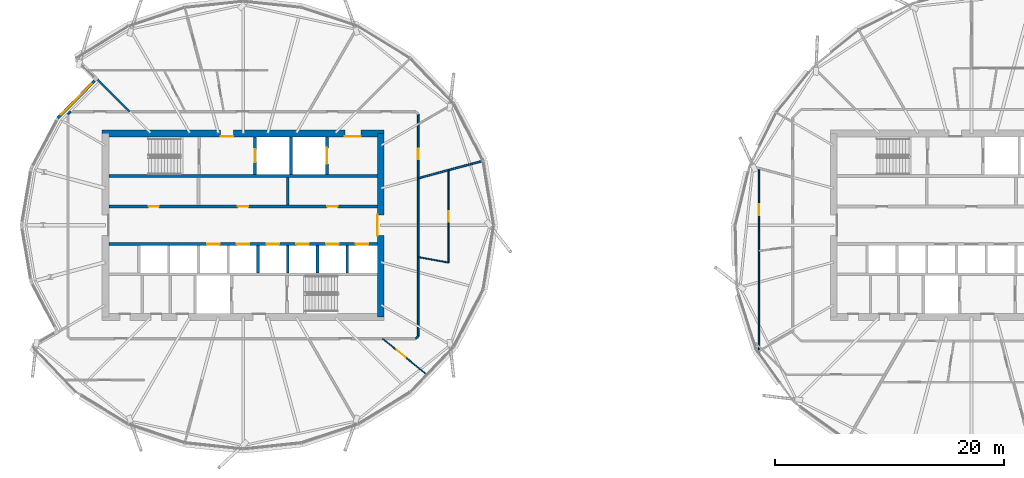
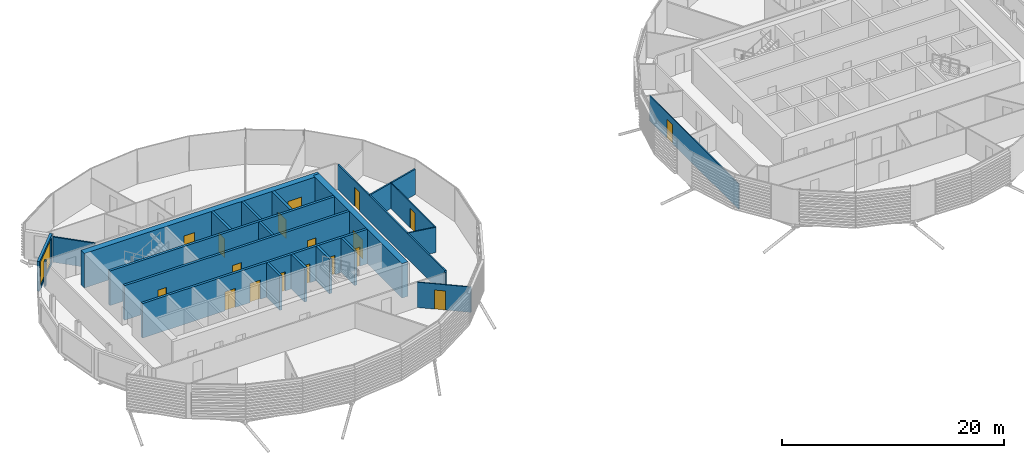
# One storey, part 20 of 36: 23 walls, 18 doors, 1 window, 19 openings.
"""IFC4 building model written with IfcOpenShell, lengths in metres."""

from ifc_helpers import new_model, si_unit, direction, frame, frame_2d, origin, place, context, subcontext, project, spatial, rectangle, extrude, material, layer, layer_set, type_object, element, fill, save


model = new_model("IFC4")

# Units and contexts
model_context = context("Model", 3, precision=1e-05, world=origin(), true_north=direction((0.0, 1.0)))
body_context = subcontext(model_context, "Body", "Model", "MODEL_VIEW")
ifc_project = project(units=[si_unit("LENGTHUNIT", "METRE"), si_unit("AREAUNIT", "SQUARE_METRE"), si_unit("VOLUMEUNIT", "CUBIC_METRE"), si_unit("PLANEANGLEUNIT", "RADIAN"), si_unit("MASSUNIT", "GRAM", prefix="KILO")], contexts=[model_context])

# Site, building, storey
site_placement = place(None, origin())
site = spatial("IfcSite", under=ifc_project, at=site_placement, CompositionType="ELEMENT")
building_placement = place(site_placement, origin())
building = spatial("IfcBuilding", under=site, at=building_placement, Name="Rimbun Link Towers", CompositionType="ELEMENT")
storey_placement = place(building_placement, frame((0.0, 0.0, 189.300048828125)))
storey = spatial("IfcBuildingStorey", under=building, at=storey_placement, Name="L46", CompositionType="ELEMENT", Elevation=189.300048828125)

# Wall, opening, window
ifc_material_1 = material(Name="Dark enamelled glass spandrel on insulated aluminium backpan", Category="aluminium")
ifc_layer_1 = layer(ifc_material_1, 0.25)
ifc_layer_set_1 = layer_set([ifc_layer_1], Name="CS dark enamelled spandrel wall 250")
wall_type_1 = type_object("IfcWallType", Name="CS dark enamelled spandrel wall 250", PredefinedType="STANDARD", material=ifc_layer_set_1)
wall_1_placement = place(storey_placement, frame((-47.9072265625, 9.344482421875, 0.0), z_axis=(0.0, 0.0, 1.0), x_axis=(0.703167111014, 0.711024622631, 0.0)))
wall_1 = element("IfcWall", 1, at=wall_1_placement, inside=storey, type_object=wall_type_1, Name="Crease spandrel wall", PredefinedType="STANDARD", context=body_context, shape_type="SweptSolid", body=[
    extrude(rectangle(XDim=4.5673828125, YDim=0.25, at=frame_2d((2.28369140625, 0.0))), origin(), (0.0, 0.0, 1.0), 3.284912109375),
])
opening_1_placement = place(wall_1_placement, frame((0.40869140625, 0.0, 0.300048828125)))
opening_1 = element("IfcOpeningElement", 2, at=opening_1_placement, cuts=wall_1, Name="Opening WR38H270", PredefinedType="OPENING", context=body_context, shape_type="SweptSolid", body=[
    extrude(rectangle(XDim=3.75, YDim=2.699951171875, at=frame_2d((1.875, 1.35009765625))), frame((0.0, 0.135009765625, 0.0), z_axis=(0.0, -1.0, 0.0), x_axis=(1.0, 0.0, 0.0)), (0.0, 0.0, 1.0), 0.27001953125),
])
ifc_material_2 = material(Name="Aluminium framed fixed window, dark tinted low-e glass", Category="aluminium")
window_type = type_object("IfcWindowType", Name="WR ribbon window 3750X2700", PartitioningType="SINGLE_PANEL", PredefinedType="WINDOW", material=ifc_material_2)
window_placement = place(opening_1_placement, origin())
window = element("IfcWindow", 3, at=window_placement, inside=storey, type_object=window_type, Name="Crease ribbon window", OverallHeight=2.699951171875, OverallWidth=3.75, PartitioningType="SINGLE_PANEL", PredefinedType="WINDOW", context=body_context, shape_type="SweptSolid", body=[
    extrude(rectangle(XDim=3.75, YDim=2.699951171875, at=frame_2d((1.875, 1.35009765625))), frame((0.0, 0.030029296875, 0.0), z_axis=(0.0, -1.0, 0.0), x_axis=(1.0, 0.0, 0.0)), (0.0, 0.0, 1.0), 0.06005859375),
])
fill(opening_1, window)

# Wall, openings, doors
ifc_material_3 = material(Name="Concrete C60/75", Category="concrete")
ifc_layer_2 = layer(ifc_material_3, 0.60009765625)
ifc_layer_set_2 = layer_set([ifc_layer_2], Name="Core shear wall 600")
wall_type_2 = type_object("IfcWallType", Name="Core shear wall 600", PredefinedType="SHEAR", material=ifc_layer_set_2)
wall_2_placement = place(storey_placement, frame((-44.050048828125, 8.0, 0.0), z_axis=(0.0, 0.0, 1.0), x_axis=(1.0, 0.0, 0.0)))
wall_2 = element("IfcWall", 4, at=wall_2_placement, inside=storey, type_object=wall_type_2, Name="L46 T1 core wall N", PredefinedType="SHEAR", context=body_context, shape_type="SweptSolid", body=[
    extrude(rectangle(XDim=24.60009765625, YDim=0.60009765625, at=frame_2d((12.300048828125, 0.0))), origin(), (0.0, 0.0, 1.0), 3.800048828125),
])
opening_2_placement = place(wall_2_placement, frame((10.35009765625, 0.0, 0.0)))
opening_2 = element("IfcOpeningElement", 5, at=opening_2_placement, cuts=wall_2, Name="Opening C1DCF01N", PredefinedType="OPENING", context=body_context, shape_type="SweptSolid", body=[
    extrude(rectangle(XDim=1.10009765625, YDim=2.10009765625, at=frame_2d((0.550048828125, 1.050048828125))), frame((0.0, 0.31005859375, 0.0), z_axis=(0.0, -1.0, 0.0), x_axis=(1.0, 0.0, 0.0)), (0.0, 0.0, 1.0), 0.6201171875),
])
opening_3_placement = place(wall_2_placement, frame((21.175048828125, 0.0, 0.0)))
opening_3 = element("IfcOpeningElement", 6, at=opening_3_placement, cuts=wall_2, Name="Opening C1DSL02N", PredefinedType="OPENING", context=body_context, shape_type="SweptSolid", body=[
    extrude(rectangle(XDim=1.39990234375, YDim=2.10009765625, at=frame_2d((0.699951171875, 1.050048828125))), frame((0.0, 0.31005859375, 0.0), z_axis=(0.0, -1.0, 0.0), x_axis=(1.0, 0.0, 0.0)), (0.0, 0.0, 1.0), 0.6201171875),
])
ifc_material_4 = material(Name="Steel fire door set", Category="steel")
door_type_1 = type_object("IfcDoorType", Name="Core fire door single", OperationType="SINGLE_SWING_LEFT", PredefinedType="DOOR", material=ifc_material_4)
door_1_placement = place(opening_2_placement, origin())
door_1 = element("IfcDoor", 7, at=door_1_placement, inside=storey, type_object=door_type_1, Name="L46 T1 firefighting lobby n door", OperationType="SINGLE_SWING_LEFT", OverallHeight=2.10009765625, OverallWidth=1.10009765625, PredefinedType="DOOR", context=body_context, shape_type="SweptSolid", body=[
    extrude(rectangle(XDim=1.10009765625, YDim=2.10009765625, at=frame_2d((0.550048828125, 1.050048828125))), frame((0.0, -0.25, 0.0), z_axis=(0.0, -1.0, 0.0), x_axis=(1.0, 0.0, 0.0)), (0.0, 0.0, 1.0), 0.050048828125),
])
fill(opening_2, door_1)
ifc_material_5 = material(Name="Steel fire door set", Category="steel")
door_type_2 = type_object("IfcDoorType", Name="Service lobby door double", OperationType="DOUBLE_DOOR_SINGLE_SWING", PredefinedType="DOOR", material=ifc_material_5)
door_2_placement = place(opening_3_placement, origin())
door_2 = element("IfcDoor", 8, at=door_2_placement, inside=storey, type_object=door_type_2, Name="L46 T1 service lobby door", OperationType="DOUBLE_DOOR_SINGLE_SWING", OverallHeight=2.10009765625, OverallWidth=1.39990234375, PredefinedType="DOOR", context=body_context, shape_type="SweptSolid", body=[
    extrude(rectangle(XDim=1.39990234375, YDim=2.10009765625, at=frame_2d((0.699951171875, 1.050048828125))), frame((0.0, -0.25, 0.0), z_axis=(0.0, -1.0, 0.0), x_axis=(1.0, 0.0, 0.0)), (0.0, 0.0, 1.0), 0.050048828125),
])
fill(opening_3, door_2)

# Wall, opening, door
wall_3_placement = place(storey_placement, frame((-19.75, -8.0, 0.0), z_axis=(0.0, 0.0, 1.0), x_axis=(0.0, 1.0, 0.0)))
wall_3 = element("IfcWall", 9, at=wall_3_placement, inside=storey, type_object=wall_type_2, Name="L46 T1 core wall E", PredefinedType="SHEAR", context=body_context, shape_type="SweptSolid", body=[
    extrude(rectangle(XDim=16.0, YDim=0.60009765625, at=frame_2d((8.0, 0.0))), origin(), (0.0, 0.0, 1.0), 3.800048828125),
])
opening_4_placement = place(wall_3_placement, frame((7.10009765625, 0.0, 0.0)))
opening_4 = element("IfcOpeningElement", 10, at=opening_4_placement, cuts=wall_3, Name="Opening C1DCL01E", PredefinedType="OPENING", context=body_context, shape_type="SweptSolid", body=[
    extrude(rectangle(XDim=1.800048828125, YDim=2.10009765625, at=frame_2d((0.89990234375, 1.050048828125))), frame((0.0, 0.31005859375, 0.0), z_axis=(0.0, -1.0, 0.0), x_axis=(1.0, 0.0, 0.0)), (0.0, 0.0, 1.0), 0.6201171875),
])
ifc_material_6 = material(Name="Steel fire door set", Category="steel")
door_type_3 = type_object("IfcDoorType", Name="Core lobby door double", OperationType="DOUBLE_DOOR_SINGLE_SWING", PredefinedType="DOOR", material=ifc_material_6)
door_3_placement = place(opening_4_placement, origin())
door_3 = element("IfcDoor", 11, at=door_3_placement, inside=storey, type_object=door_type_3, Name="L46 T1 lift lobby door", OperationType="DOUBLE_DOOR_SINGLE_SWING", OverallHeight=2.10009765625, OverallWidth=1.800048828125, PredefinedType="DOOR", context=body_context, shape_type="SweptSolid", body=[
    extrude(rectangle(XDim=1.800048828125, YDim=2.10009765625, at=frame_2d((0.89990234375, 1.050048828125))), frame((0.0, 0.2998046875, 0.0), z_axis=(0.0, -1.0, 0.0), x_axis=(1.0, 0.0, 0.0)), (0.0, 0.0, 1.0), 0.050048828125),
])
fill(opening_4, door_3)

ifc_material_7 = material(Name="Plasterboard on steel stud, mineral wool", Category="steel")
ifc_layer_3 = layer(ifc_material_7, 0.14990234375)
ifc_layer_set_3 = layer_set([ifc_layer_3], Name="Corridor wall EI 30 150 mm")
wall_type_3 = type_object("IfcWallType", Name="Corridor wall EI 30 150 mm", PredefinedType="PARTITIONING", material=ifc_layer_set_3)
wall_4_placement = place(storey_placement, frame((-16.47509765625, 9.673583984375, 0.0), z_axis=(0.0, 0.0, 1.0), x_axis=(0.0, -1.0, 0.0)))
wall_4 = element("IfcWall", 12, at=wall_4_placement, inside=storey, type_object=wall_type_3, Name="Corridor wall EI 30 150 mm", PredefinedType="PARTITIONING", context=body_context, shape_type="SweptSolid", body=[
    extrude(rectangle(XDim=19.34716796875, YDim=0.14990234375, at=frame_2d((9.673583984375, 0.0))), origin(), (0.0, 0.0, 1.0), 2.7890625),
])
opening_5_placement = place(wall_4_placement, frame((3.01220703125, 0.0, 0.0)))
opening_5 = element("IfcOpeningElement", 13, at=opening_5_placement, cuts=wall_4, Name="Opening D02", PredefinedType="OPENING", context=body_context, shape_type="SweptSolid", body=[
    extrude(rectangle(XDim=0.89990234375, YDim=2.10009765625, at=frame_2d((0.449951171875, 1.050048828125))), frame((0.0, 0.0849609375, 0.0), z_axis=(0.0, -1.0, 0.0), x_axis=(1.0, 0.0, 0.0)), (0.0, 0.0, 1.0), 0.169921875),
])
ifc_material_8 = material(Name="Fire-resisting timber door leaf", Category="wood")
door_type_4 = type_object("IfcDoorType", Name="Fire door FD30S 900", OperationType="NOTDEFINED", PredefinedType="DOOR", material=ifc_material_8)
door_4_placement = place(opening_5_placement, origin())
door_4 = element("IfcDoor", 14, at=door_4_placement, inside=storey, type_object=door_type_4, Name="Fire door FD30S 900 to Cellular office", OperationType="SINGLE_SWING_LEFT", OverallHeight=2.10009765625, OverallWidth=0.89990234375, PredefinedType="DOOR", context=body_context, shape_type="SweptSolid", body=[
    extrude(rectangle(XDim=0.89990234375, YDim=2.10009765625, at=frame_2d((0.449951171875, 1.050048828125))), frame((0.0, 0.02490234375, 0.0), z_axis=(0.0, -1.0, 0.0), x_axis=(1.0, 0.0, 0.0)), (0.0, 0.0, 1.0), 0.050048828125),
])
fill(opening_5, door_4)

# Walls
for number, where, z_axis, x_axis, name in (
    (15, (-16.6962890625, -9.89501953125, 0.0), (0.0, 0.0, 1.0), (0.706716653396, 0.707496693853, 0.0), "Corridor wall EI 30 150 mm"),
    (16, (-46.8037109375, 9.89501953125, 0.0), (0.0, 0.0, 1.0), (-0.706716653396, -0.707496693853, 0.0), "Corridor wall EI 30 150 mm"),
):
    element("IfcWall", number, at=place(storey_placement, frame(where, z_axis=z_axis, x_axis=x_axis)), inside=storey, type_object=wall_type_3, Name=name, PredefinedType="PARTITIONING", context=body_context, shape_type="SweptSolid", body=[
        extrude(rectangle(XDim=0.31298828125, YDim=0.14990234375, at=frame_2d((0.156494140625, 0.0))), origin(), (0.0, 0.0, 1.0), 2.7890625),
    ])

# Wall, opening, door
ifc_material_9 = material(Name="Plasterboard on steel stud", Category="steel")
ifc_layer_4 = layer(ifc_material_9, 0.10009765625)
ifc_layer_set_4 = layer_set([ifc_layer_4], Name="Plasterboard partition 100 mm")
wall_type_4 = type_object("IfcWallType", Name="Plasterboard partition 100 mm", PredefinedType="PARTITIONING", material=ifc_layer_set_4)
wall_5_placement = place(storey_placement, frame((-19.584228515625, -9.89501953125, 0.0), z_axis=(0.0, 0.0, 1.0), x_axis=(0.775776170633, -0.631008187805, 0.0)))
wall_5 = element("IfcWall", 17, at=wall_5_placement, inside=storey, type_object=wall_type_4, Name="Plasterboard partition 100 mm", PredefinedType="PARTITIONING", context=body_context, shape_type="SweptSolid", body=[
    extrude(rectangle(XDim=4.93115234375, YDim=0.10009765625, at=frame_2d((2.465576171875, 0.0))), origin(), (0.0, 0.0, 1.0), 2.7890625),
])
opening_6_placement = place(wall_5_placement, frame((1.592041015625, 0.0, 0.0)))
opening_6 = element("IfcOpeningElement", 18, at=opening_6_placement, cuts=wall_5, Name="Opening D03", PredefinedType="OPENING", context=body_context, shape_type="SweptSolid", body=[
    extrude(rectangle(XDim=1.0, YDim=2.10009765625, at=frame_2d((0.5, 1.050048828125))), frame((0.0, 0.06005859375, 0.0), z_axis=(0.0, -1.0, 0.0), x_axis=(1.0, 0.0, 0.0)), (0.0, 0.0, 1.0), 0.1201171875),
])
ifc_material_10 = material(Name="Timber door leaf", Category="wood")
door_type_5 = type_object("IfcDoorType", Name="Flush door 1000", OperationType="NOTDEFINED", PredefinedType="DOOR", material=ifc_material_10)
door_5_placement = place(opening_6_placement, origin())
door_5 = element("IfcDoor", 19, at=door_5_placement, inside=storey, type_object=door_type_5, Name="Flush door 1000 to Trading floor", OperationType="SINGLE_SWING_RIGHT", OverallHeight=2.10009765625, OverallWidth=1.0, PredefinedType="DOOR", context=body_context, shape_type="SweptSolid", body=[
    extrude(rectangle(XDim=1.0, YDim=2.10009765625, at=frame_2d((0.5, 1.050048828125))), frame((0.0, 0.02490234375, 0.0), z_axis=(0.0, -1.0, 0.0), x_axis=(1.0, 0.0, 0.0)), (0.0, 0.0, 1.0), 0.050048828125),
])
fill(opening_6, door_5)

wall_6_placement = place(storey_placement, frame((-13.8349609375, -3.26220703125, 0.0), z_axis=(0.0, 0.0, 1.0), x_axis=(0.0, 1.0, 0.0)))
wall_6 = element("IfcWall", 20, at=wall_6_placement, inside=storey, type_object=wall_type_4, Name="Plasterboard partition 100 mm", PredefinedType="PARTITIONING", context=body_context, shape_type="SweptSolid", body=[
    extrude(rectangle(XDim=8.0625, YDim=0.10009765625, at=frame_2d((4.03125, 0.0))), origin(), (0.0, 0.0, 1.0), 2.7890625),
])
opening_7_placement = place(wall_6_placement, frame((3.581298828125, 0.0, 0.0)))
opening_7 = element("IfcOpeningElement", 21, at=opening_7_placement, cuts=wall_6, Name="Opening D04", PredefinedType="OPENING", context=body_context, shape_type="SweptSolid", body=[
    extrude(rectangle(XDim=0.89990234375, YDim=2.10009765625, at=frame_2d((0.449951171875, 1.050048828125))), frame((0.0, 0.06005859375, 0.0), z_axis=(0.0, -1.0, 0.0), x_axis=(1.0, 0.0, 0.0)), (0.0, 0.0, 1.0), 0.1201171875),
])
ifc_material_11 = material(Name="Timber door leaf", Category="wood")
door_type_6 = type_object("IfcDoorType", Name="Flush door 900", OperationType="NOTDEFINED", PredefinedType="DOOR", material=ifc_material_11)
door_6_placement = place(opening_7_placement, origin())
door_6 = element("IfcDoor", 22, at=door_6_placement, inside=storey, type_object=door_type_6, Name="Flush door 900 to Communications room", OperationType="SINGLE_SWING_RIGHT", OverallHeight=2.10009765625, OverallWidth=0.89990234375, PredefinedType="DOOR", context=body_context, shape_type="SweptSolid", body=[
    extrude(rectangle(XDim=0.89990234375, YDim=2.10009765625, at=frame_2d((0.449951171875, 1.050048828125))), frame((0.0, 0.02490234375, 0.0), z_axis=(0.0, -1.0, 0.0), x_axis=(1.0, 0.0, 0.0)), (0.0, 0.0, 1.0), 0.050048828125),
])
fill(opening_7, door_6)

# Wall
wall_7_placement = place(storey_placement, frame((-16.47509765625, -2.781494140625, 0.0), z_axis=(0.0, 0.0, 1.0), x_axis=(0.983824754229, -0.179133617632, 0.0)))
element("IfcWall", 23, at=wall_7_placement, inside=storey, type_object=wall_type_4, Name="Plasterboard partition 100 mm", PredefinedType="PARTITIONING", context=body_context, shape_type="SweptSolid", body=[
    extrude(rectangle(XDim=2.68359375, YDim=0.10009765625, at=frame_2d((1.341796875, 0.0))), origin(), (0.0, 0.0, 1.0), 2.7890625),
])

# Wall, opening, door
wall_8_placement = place(storey_placement, frame((13.235107421875, -11.111328125, 0.0), z_axis=(0.0, 0.0, 1.0), x_axis=(0.0, 1.0, 0.0)))
wall_8 = element("IfcWall", 24, at=wall_8_placement, inside=storey, type_object=wall_type_4, Name="Plasterboard partition 100 mm", PredefinedType="PARTITIONING", context=body_context, shape_type="SweptSolid", body=[
    extrude(rectangle(XDim=16.072265625, YDim=0.10009765625, at=frame_2d((8.0361328125, 0.0))), origin(), (0.0, 0.0, 1.0), 2.7890625),
])
opening_8_placement = place(wall_8_placement, frame((11.9580078125, 0.0, 0.0)))
opening_8 = element("IfcOpeningElement", 25, at=opening_8_placement, cuts=wall_8, Name="Opening D03", PredefinedType="OPENING", context=body_context, shape_type="SweptSolid", body=[
    extrude(rectangle(XDim=1.0, YDim=2.10009765625, at=frame_2d((0.5, 1.050048828125))), frame((0.0, 0.06005859375, 0.0), z_axis=(0.0, -1.0, 0.0), x_axis=(1.0, 0.0, 0.0)), (0.0, 0.0, 1.0), 0.1201171875),
])
door_7_placement = place(opening_8_placement, origin())
door_7 = element("IfcDoor", 26, at=door_7_placement, inside=storey, type_object=door_type_5, Name="Flush door 1000 to Trading floor", OperationType="SINGLE_SWING_RIGHT", OverallHeight=2.10009765625, OverallWidth=1.0, PredefinedType="DOOR", context=body_context, shape_type="SweptSolid", body=[
    extrude(rectangle(XDim=1.0, YDim=2.10009765625, at=frame_2d((0.5, 1.050048828125))), frame((0.0, 0.02490234375, 0.0), z_axis=(0.0, -1.0, 0.0), x_axis=(1.0, 0.0, 0.0)), (0.0, 0.0, 1.0), 0.050048828125),
])
fill(opening_8, door_7)

# Wall
ifc_material_12 = material(Name="Concrete C60/75", Category="concrete")
ifc_layer_5 = layer(ifc_material_12, 0.25)
ifc_layer_set_5 = layer_set([ifc_layer_5], Name="Shaft wall 250")
wall_type_5 = type_object("IfcWallType", Name="Shaft wall 250", PredefinedType="SHEAR", material=ifc_layer_set_5)
wall_9_placement = place(storey_placement, frame((-43.449951171875, 4.27490234375, 0.0), z_axis=(0.0, 0.0, 1.0), x_axis=(1.0, 0.0, 0.0)))
element("IfcWall", 27, at=wall_9_placement, inside=storey, type_object=wall_type_5, Name="L46 T1 core wall BN", PredefinedType="SHEAR", context=body_context, shape_type="SweptSolid", body=[
    extrude(rectangle(XDim=23.39990234375, YDim=0.25, at=frame_2d((11.699951171875, 0.0))), origin(), (0.0, 0.0, 1.0), 3.800048828125),
])

# Wall, openings, doors
wall_10_placement = place(storey_placement, frame((-43.449951171875, 1.625, 0.0), z_axis=(0.0, 0.0, 1.0), x_axis=(1.0, 0.0, 0.0)))
wall_10 = element("IfcWall", 28, at=wall_10_placement, inside=storey, type_object=wall_type_5, Name="L46 T1 core wall FN", PredefinedType="SHEAR", context=body_context, shape_type="SweptSolid", body=[
    extrude(rectangle(XDim=23.39990234375, YDim=0.25, at=frame_2d((11.699951171875, 0.0))), origin(), (0.0, 0.0, 1.0), 3.800048828125),
])
opening_9_placement = place(wall_10_placement, frame((3.466796875, 0.0, 0.0)))
opening_9 = element("IfcOpeningElement", 29, at=opening_9_placement, cuts=wall_10, Name="Opening C1DRS01FN", PredefinedType="OPENING", context=body_context, shape_type="SweptSolid", body=[
    extrude(rectangle(XDim=0.89990234375, YDim=2.10009765625, at=frame_2d((0.449951171875, 1.050048828125))), frame((0.0, 0.135009765625, 0.0), z_axis=(0.0, -1.0, 0.0), x_axis=(1.0, 0.0, 0.0)), (0.0, 0.0, 1.0), 0.27001953125),
])
opening_10_placement = place(wall_10_placement, frame((11.25, 0.0, 0.0)))
opening_10 = element("IfcOpeningElement", 30, at=opening_10_placement, cuts=wall_10, Name="Opening C1DRS02FN", PredefinedType="OPENING", context=body_context, shape_type="SweptSolid", body=[
    extrude(rectangle(XDim=0.89990234375, YDim=2.10009765625, at=frame_2d((0.449951171875, 1.050048828125))), frame((0.0, 0.135009765625, 0.0), z_axis=(0.0, -1.0, 0.0), x_axis=(1.0, 0.0, 0.0)), (0.0, 0.0, 1.0), 0.27001953125),
])
opening_11_placement = place(wall_10_placement, frame((19.033203125, 0.0, 0.0)))
opening_11 = element("IfcOpeningElement", 31, at=opening_11_placement, cuts=wall_10, Name="Opening C1DRS03FN", PredefinedType="OPENING", context=body_context, shape_type="SweptSolid", body=[
    extrude(rectangle(XDim=0.89990234375, YDim=2.10009765625, at=frame_2d((0.449951171875, 1.050048828125))), frame((0.0, 0.135009765625, 0.0), z_axis=(0.0, -1.0, 0.0), x_axis=(1.0, 0.0, 0.0)), (0.0, 0.0, 1.0), 0.27001953125),
])
ifc_material_13 = material(Name="Steel fire door set", Category="steel")
door_type_7 = type_object("IfcDoorType", Name="Core riser door", OperationType="SINGLE_SWING_LEFT", PredefinedType="DOOR", material=ifc_material_13)
door_8_placement = place(opening_9_placement, origin())
door_8 = element("IfcDoor", 32, at=door_8_placement, inside=storey, type_object=door_type_7, Name="L46 T1 records store door", OperationType="SINGLE_SWING_RIGHT", OverallHeight=2.10009765625, OverallWidth=0.89990234375, PredefinedType="DOOR", context=body_context, shape_type="SweptSolid", body=[
    extrude(rectangle(XDim=0.89990234375, YDim=2.10009765625, at=frame_2d((0.449951171875, 1.050048828125))), frame((0.0, 0.02490234375, 0.0), z_axis=(0.0, -1.0, 0.0), x_axis=(1.0, 0.0, 0.0)), (0.0, 0.0, 1.0), 0.050048828125),
])
fill(opening_9, door_8)
door_9_placement = place(opening_10_placement, origin())
door_9 = element("IfcDoor", 33, at=door_9_placement, inside=storey, type_object=door_type_7, Name="L46 T1 training store door", OperationType="SINGLE_SWING_LEFT", OverallHeight=2.10009765625, OverallWidth=0.89990234375, PredefinedType="DOOR", context=body_context, shape_type="SweptSolid", body=[
    extrude(rectangle(XDim=0.89990234375, YDim=2.10009765625, at=frame_2d((0.449951171875, 1.050048828125))), frame((0.0, 0.02490234375, 0.0), z_axis=(0.0, -1.0, 0.0), x_axis=(1.0, 0.0, 0.0)), (0.0, 0.0, 1.0), 0.050048828125),
])
fill(opening_10, door_9)
door_10_placement = place(opening_11_placement, origin())
door_10 = element("IfcDoor", 34, at=door_10_placement, inside=storey, type_object=door_type_7, Name="L46 T1 meeting pod door", OperationType="SINGLE_SWING_LEFT", OverallHeight=2.10009765625, OverallWidth=0.89990234375, PredefinedType="DOOR", context=body_context, shape_type="SweptSolid", body=[
    extrude(rectangle(XDim=0.89990234375, YDim=2.10009765625, at=frame_2d((0.449951171875, 1.050048828125))), frame((0.0, 0.02490234375, 0.0), z_axis=(0.0, -1.0, 0.0), x_axis=(1.0, 0.0, 0.0)), (0.0, 0.0, 1.0), 0.050048828125),
])
fill(opening_11, door_10)

wall_11_placement = place(storey_placement, frame((-43.449951171875, -1.625, 0.0), z_axis=(0.0, 0.0, 1.0), x_axis=(1.0, 0.0, 0.0)))
wall_11 = element("IfcWall", 35, at=wall_11_placement, inside=storey, type_object=wall_type_5, Name="L46 T1 core wall FS", PredefinedType="SHEAR", context=body_context, shape_type="SweptSolid", body=[
    extrude(rectangle(XDim=23.39990234375, YDim=0.25, at=frame_2d((11.699951171875, 0.0))), origin(), (0.0, 0.0, 1.0), 3.800048828125),
])
opening_12_placement = place(wall_11_placement, frame((8.5556640625, 0.0, 0.0)))
opening_12 = element("IfcOpeningElement", 36, at=opening_12_placement, cuts=wall_11, Name="Opening LD-T1-HR1", PredefinedType="OPENING", context=body_context, shape_type="SweptSolid", body=[
    extrude(rectangle(XDim=1.10009765625, YDim=2.10009765625, at=frame_2d((0.550048828125, 1.050048828125))), frame((0.0, 0.135009765625, 0.0), z_axis=(0.0, -1.0, 0.0), x_axis=(1.0, 0.0, 0.0)), (0.0, 0.0, 1.0), 0.27001953125),
])
opening_13_placement = place(wall_11_placement, frame((11.14990234375, 0.0, 0.0)))
opening_13 = element("IfcOpeningElement", 37, at=opening_13_placement, cuts=wall_11, Name="Opening LD-T1-HR2", PredefinedType="OPENING", context=body_context, shape_type="SweptSolid", body=[
    extrude(rectangle(XDim=1.10009765625, YDim=2.10009765625, at=frame_2d((0.550048828125, 1.050048828125))), frame((0.0, 0.135009765625, 0.0), z_axis=(0.0, -1.0, 0.0), x_axis=(1.0, 0.0, 0.0)), (0.0, 0.0, 1.0), 0.27001953125),
])
opening_14_placement = place(wall_11_placement, frame((13.744384765625, 0.0, 0.0)))
opening_14 = element("IfcOpeningElement", 38, at=opening_14_placement, cuts=wall_11, Name="Opening LD-T1-HR3", PredefinedType="OPENING", context=body_context, shape_type="SweptSolid", body=[
    extrude(rectangle(XDim=1.10009765625, YDim=2.10009765625, at=frame_2d((0.550048828125, 1.050048828125))), frame((0.0, 0.135009765625, 0.0), z_axis=(0.0, -1.0, 0.0), x_axis=(1.0, 0.0, 0.0)), (0.0, 0.0, 1.0), 0.27001953125),
])
opening_15_placement = place(wall_11_placement, frame((16.3388671875, 0.0, 0.0)))
opening_15 = element("IfcOpeningElement", 39, at=opening_15_placement, cuts=wall_11, Name="Opening LD-T1-HR4", PredefinedType="OPENING", context=body_context, shape_type="SweptSolid", body=[
    extrude(rectangle(XDim=1.10009765625, YDim=2.10009765625, at=frame_2d((0.550048828125, 1.050048828125))), frame((0.0, 0.135009765625, 0.0), z_axis=(0.0, -1.0, 0.0), x_axis=(1.0, 0.0, 0.0)), (0.0, 0.0, 1.0), 0.27001953125),
])
opening_16_placement = place(wall_11_placement, frame((18.933349609375, 0.0, 0.0)))
opening_16 = element("IfcOpeningElement", 40, at=opening_16_placement, cuts=wall_11, Name="Opening LD-T1-HR5", PredefinedType="OPENING", context=body_context, shape_type="SweptSolid", body=[
    extrude(rectangle(XDim=1.10009765625, YDim=2.10009765625, at=frame_2d((0.550048828125, 1.050048828125))), frame((0.0, 0.135009765625, 0.0), z_axis=(0.0, -1.0, 0.0), x_axis=(1.0, 0.0, 0.0)), (0.0, 0.0, 1.0), 0.27001953125),
])
opening_17_placement = place(wall_11_placement, frame((21.52783203125, 0.0, 0.0)))
opening_17 = element("IfcOpeningElement", 41, at=opening_17_placement, cuts=wall_11, Name="Opening LD-T1-HR6", PredefinedType="OPENING", context=body_context, shape_type="SweptSolid", body=[
    extrude(rectangle(XDim=1.10009765625, YDim=2.10009765625, at=frame_2d((0.550048828125, 1.050048828125))), frame((0.0, 0.135009765625, 0.0), z_axis=(0.0, -1.0, 0.0), x_axis=(1.0, 0.0, 0.0)), (0.0, 0.0, 1.0), 0.27001953125),
])
ifc_material_14 = material(Name="Stainless steel grade 316", Category="steel")
door_type_8 = type_object("IfcDoorType", Name="Lift landing door", OperationType="DOUBLE_DOOR_SLIDING", PredefinedType="DOOR", material=ifc_material_14)
door_11_placement = place(opening_12_placement, origin())
door_11 = element("IfcDoor", 42, at=door_11_placement, inside=storey, type_object=door_type_8, Name="L46 T1 lift HR1 landing door", OperationType="DOUBLE_DOOR_SLIDING", OverallHeight=2.10009765625, OverallWidth=1.10009765625, PredefinedType="DOOR", context=body_context, shape_type="SweptSolid", body=[
    extrude(rectangle(XDim=1.10009765625, YDim=2.10009765625, at=frame_2d((0.550048828125, 1.050048828125))), frame((0.0, 0.02490234375, 0.0), z_axis=(0.0, -1.0, 0.0), x_axis=(1.0, 0.0, 0.0)), (0.0, 0.0, 1.0), 0.050048828125),
])
fill(opening_12, door_11)
door_12_placement = place(opening_13_placement, origin())
door_12 = element("IfcDoor", 43, at=door_12_placement, inside=storey, type_object=door_type_8, Name="L46 T1 lift HR2 landing door", OperationType="DOUBLE_DOOR_SLIDING", OverallHeight=2.10009765625, OverallWidth=1.10009765625, PredefinedType="DOOR", context=body_context, shape_type="SweptSolid", body=[
    extrude(rectangle(XDim=1.10009765625, YDim=2.10009765625, at=frame_2d((0.550048828125, 1.050048828125))), frame((0.0, 0.02490234375, 0.0), z_axis=(0.0, -1.0, 0.0), x_axis=(1.0, 0.0, 0.0)), (0.0, 0.0, 1.0), 0.050048828125),
])
fill(opening_13, door_12)
door_13_placement = place(opening_14_placement, origin())
door_13 = element("IfcDoor", 44, at=door_13_placement, inside=storey, type_object=door_type_8, Name="L46 T1 lift HR3 landing door", OperationType="DOUBLE_DOOR_SLIDING", OverallHeight=2.10009765625, OverallWidth=1.10009765625, PredefinedType="DOOR", context=body_context, shape_type="SweptSolid", body=[
    extrude(rectangle(XDim=1.10009765625, YDim=2.10009765625, at=frame_2d((0.550048828125, 1.050048828125))), frame((0.0, 0.02490234375, 0.0), z_axis=(0.0, -1.0, 0.0), x_axis=(1.0, 0.0, 0.0)), (0.0, 0.0, 1.0), 0.050048828125),
])
fill(opening_14, door_13)
door_14_placement = place(opening_15_placement, origin())
door_14 = element("IfcDoor", 45, at=door_14_placement, inside=storey, type_object=door_type_8, Name="L46 T1 lift HR4 landing door", OperationType="DOUBLE_DOOR_SLIDING", OverallHeight=2.10009765625, OverallWidth=1.10009765625, PredefinedType="DOOR", context=body_context, shape_type="SweptSolid", body=[
    extrude(rectangle(XDim=1.10009765625, YDim=2.10009765625, at=frame_2d((0.550048828125, 1.050048828125))), frame((0.0, 0.02490234375, 0.0), z_axis=(0.0, -1.0, 0.0), x_axis=(1.0, 0.0, 0.0)), (0.0, 0.0, 1.0), 0.050048828125),
])
fill(opening_15, door_14)
door_15_placement = place(opening_16_placement, origin())
door_15 = element("IfcDoor", 46, at=door_15_placement, inside=storey, type_object=door_type_8, Name="L46 T1 lift HR5 landing door", OperationType="DOUBLE_DOOR_SLIDING", OverallHeight=2.10009765625, OverallWidth=1.10009765625, PredefinedType="DOOR", context=body_context, shape_type="SweptSolid", body=[
    extrude(rectangle(XDim=1.10009765625, YDim=2.10009765625, at=frame_2d((0.550048828125, 1.050048828125))), frame((0.0, 0.02490234375, 0.0), z_axis=(0.0, -1.0, 0.0), x_axis=(1.0, 0.0, 0.0)), (0.0, 0.0, 1.0), 0.050048828125),
])
fill(opening_16, door_15)
door_16_placement = place(opening_17_placement, origin())
door_16 = element("IfcDoor", 47, at=door_16_placement, inside=storey, type_object=door_type_8, Name="L46 T1 lift HR6 landing door", OperationType="DOUBLE_DOOR_SLIDING", OverallHeight=2.10009765625, OverallWidth=1.10009765625, PredefinedType="DOOR", context=body_context, shape_type="SweptSolid", body=[
    extrude(rectangle(XDim=1.10009765625, YDim=2.10009765625, at=frame_2d((0.550048828125, 1.050048828125))), frame((0.0, 0.02490234375, 0.0), z_axis=(0.0, -1.0, 0.0), x_axis=(1.0, 0.0, 0.0)), (0.0, 0.0, 1.0), 0.050048828125),
])
fill(opening_17, door_16)

# Walls
for number, where, z_axis, x_axis, name in (
    (48, (-27.8583984375, 1.75, 0.0), (0.0, 0.0, 1.0), (0.0, 1.0, 0.0), "L46 T1 core wall DN5"),
    (49, (-30.452880859375, -4.14990234375, 0.0), (0.0, 0.0, 1.0), (0.0, 1.0, 0.0), "L46 T1 core wall DS4"),
    (50, (-27.8583984375, -4.14990234375, 0.0), (0.0, 0.0, 1.0), (0.0, 1.0, 0.0), "L46 T1 core wall DS5"),
    (51, (-25.263916015625, -4.14990234375, 0.0), (0.0, 0.0, 1.0), (0.0, 1.0, 0.0), "L46 T1 core wall DS6"),
    (52, (-22.66943359375, -4.14990234375, 0.0), (0.0, 0.0, 1.0), (0.0, 1.0, 0.0), "L46 T1 core wall DS7"),
):
    element("IfcWall", number, at=place(storey_placement, frame(where, z_axis=z_axis, x_axis=x_axis)), inside=storey, type_object=wall_type_5, Name=name, PredefinedType="SHEAR", context=body_context, shape_type="SweptSolid", body=[
        extrude(rectangle(XDim=2.39990234375, YDim=0.25, at=frame_2d((1.199951171875, 0.0))), origin(), (0.0, 0.0, 1.0), 3.800048828125),
    ])

# Wall, opening, door
wall_12_placement = place(storey_placement, frame((-30.72509765625, 4.39990234375, 0.0), z_axis=(0.0, 0.0, 1.0), x_axis=(0.0, 1.0, 0.0)))
wall_12 = element("IfcWall", 53, at=wall_12_placement, inside=storey, type_object=wall_type_5, Name="L46 T1 core wall A2", PredefinedType="SHEAR", context=body_context, shape_type="SweptSolid", body=[
    extrude(rectangle(XDim=3.300048828125, YDim=0.25, at=frame_2d((1.64990234375, 0.0))), origin(), (0.0, 0.0, 1.0), 3.800048828125),
])
opening_18_placement = place(wall_12_placement, frame((1.10009765625, 0.0, 0.0)))
opening_18 = element("IfcOpeningElement", 54, at=opening_18_placement, cuts=wall_12, Name="Opening LD-T1-FF1", PredefinedType="OPENING", context=body_context, shape_type="SweptSolid", body=[
    extrude(rectangle(XDim=1.10009765625, YDim=2.10009765625, at=frame_2d((0.550048828125, 1.050048828125))), frame((0.0, 0.135009765625, 0.0), z_axis=(0.0, -1.0, 0.0), x_axis=(1.0, 0.0, 0.0)), (0.0, 0.0, 1.0), 0.27001953125),
])
door_17_placement = place(opening_18_placement, origin())
door_17 = element("IfcDoor", 55, at=door_17_placement, inside=storey, type_object=door_type_8, Name="L46 T1 lift FF1 landing door", OperationType="DOUBLE_DOOR_SLIDING", OverallHeight=2.10009765625, OverallWidth=1.10009765625, PredefinedType="DOOR", context=body_context, shape_type="SweptSolid", body=[
    extrude(rectangle(XDim=1.10009765625, YDim=2.10009765625, at=frame_2d((0.550048828125, 1.050048828125))), frame((0.0, 0.02490234375, 0.0), z_axis=(0.0, -1.0, 0.0), x_axis=(1.0, 0.0, 0.0)), (0.0, 0.0, 1.0), 0.050048828125),
])
fill(opening_18, door_17)

# Wall
wall_13_placement = place(storey_placement, frame((-27.574951171875, 4.39990234375, 0.0), z_axis=(0.0, 0.0, 1.0), x_axis=(0.0, 1.0, 0.0)))
element("IfcWall", 56, at=wall_13_placement, inside=storey, type_object=wall_type_5, Name="L46 T1 core wall A3", PredefinedType="SHEAR", context=body_context, shape_type="SweptSolid", body=[
    extrude(rectangle(XDim=3.300048828125, YDim=0.25, at=frame_2d((1.64990234375, 0.0))), origin(), (0.0, 0.0, 1.0), 3.800048828125),
])

# Wall, opening, door
wall_14_placement = place(storey_placement, frame((-24.425048828125, 4.39990234375, 0.0), z_axis=(0.0, 0.0, 1.0), x_axis=(0.0, 1.0, 0.0)))
wall_14 = element("IfcWall", 57, at=wall_14_placement, inside=storey, type_object=wall_type_5, Name="L46 T1 core wall A4", PredefinedType="SHEAR", context=body_context, shape_type="SweptSolid", body=[
    extrude(rectangle(XDim=3.300048828125, YDim=0.25, at=frame_2d((1.64990234375, 0.0))), origin(), (0.0, 0.0, 1.0), 3.800048828125),
])
opening_19_placement = place(wall_14_placement, frame((0.949951171875, 0.0, 0.0)))
opening_19 = element("IfcOpeningElement", 58, at=opening_19_placement, cuts=wall_14, Name="Opening LD-T1-GL1", PredefinedType="OPENING", context=body_context, shape_type="SweptSolid", body=[
    extrude(rectangle(XDim=1.39990234375, YDim=2.10009765625, at=frame_2d((0.699951171875, 1.050048828125))), frame((0.0, 0.135009765625, 0.0), z_axis=(0.0, -1.0, 0.0), x_axis=(1.0, 0.0, 0.0)), (0.0, 0.0, 1.0), 0.27001953125),
])
ifc_material_15 = material(Name="Stainless steel grade 316", Category="steel")
door_type_9 = type_object("IfcDoorType", Name="Goods lift landing door", OperationType="DOUBLE_DOOR_SLIDING", PredefinedType="DOOR", material=ifc_material_15)
door_18_placement = place(opening_19_placement, origin())
door_18 = element("IfcDoor", 59, at=door_18_placement, inside=storey, type_object=door_type_9, Name="L46 T1 lift GL1 landing door", OperationType="DOUBLE_DOOR_SLIDING", OverallHeight=2.10009765625, OverallWidth=1.39990234375, PredefinedType="DOOR", context=body_context, shape_type="SweptSolid", body=[
    extrude(rectangle(XDim=1.39990234375, YDim=2.10009765625, at=frame_2d((0.699951171875, 1.050048828125))), frame((0.0, 0.02490234375, 0.0), z_axis=(0.0, -1.0, 0.0), x_axis=(1.0, 0.0, 0.0)), (0.0, 0.0, 1.0), 0.050048828125),
])
fill(opening_19, door_18)

# Walls
ifc_material_16 = material(Name="Plasterboard on steel stud, mineral wool", Category="steel")
ifc_layer_6 = layer(ifc_material_16, 0.14990234375)
ifc_layer_set_6 = layer_set([ifc_layer_6], Name="Tenancy separation wall EI 60 150 mm")
wall_type_6 = type_object("IfcWallType", Name="Tenancy separation wall EI 60 150 mm", PredefinedType="PARTITIONING", material=ifc_layer_set_6)
wall_15_placement = place(storey_placement, frame((-16.47509765625, 4.093017578125, 0.0), z_axis=(0.0, 0.0, 1.0), x_axis=(0.965935472204, 0.258783043374, 0.0)))
element("IfcWall", 60, at=wall_15_placement, inside=storey, type_object=wall_type_6, Name="Tenancy separation wall EI 60 150 mm", PredefinedType="PARTITIONING", context=body_context, shape_type="SweptSolid", body=[
    extrude(rectangle(XDim=5.803955078125, YDim=0.14990234375, at=frame_2d((2.90185546875, 0.0))), origin(), (0.0, 0.0, 1.0), 2.7890625),
])
wall_16_placement = place(storey_placement, frame((-41.64501953125, 9.89501953125, 0.0), z_axis=(0.0, 0.0, 1.0), x_axis=(-0.707106781187, 0.707106781187, 0.0)))
element("IfcWall", 61, at=wall_16_placement, inside=storey, type_object=wall_type_6, Name="Tenancy separation wall EI 60 150 mm", PredefinedType="PARTITIONING", context=body_context, shape_type="SweptSolid", body=[
    extrude(rectangle(XDim=3.9404296875, YDim=0.14990234375, at=frame_2d((1.97021484375, 0.0))), origin(), (0.0, 0.0, 1.0), 2.7890625),
])

save(model, "model.ifc")
